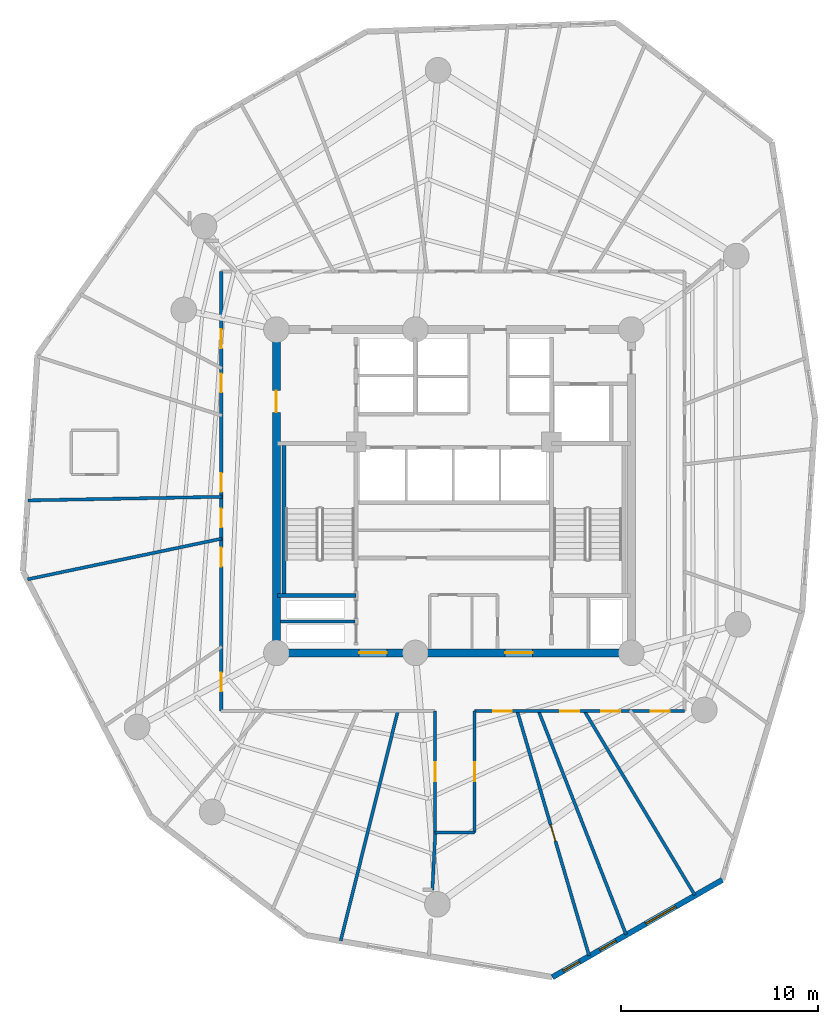
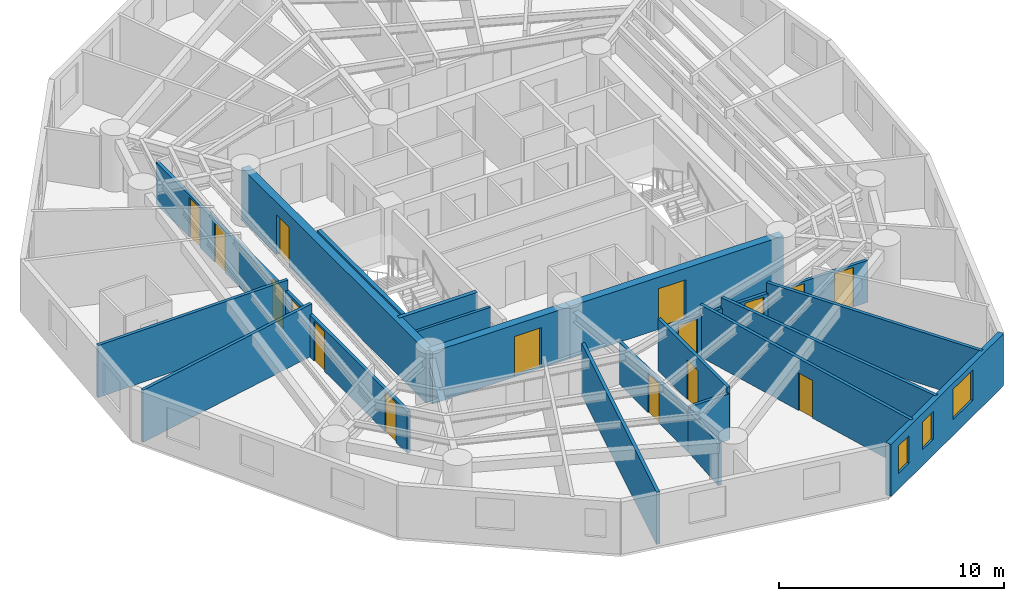
# One storey, part 3 of 8: 19 walls, 16 doors, 3 windows, 19 openings.
"""IFC4 building model written with IfcOpenShell, lengths in metres."""

from ifc_helpers import new_model, si_unit, direction, frame, frame_2d, origin, origin_with_axes, place, context, subcontext, project, spatial, rectangle, extrude, source, transform, mapped, material, layer, layer_set, type_object, element, fill, save


model = new_model("IFC4")

# Units and contexts
model_context = context("Model", 3, precision=1e-05, world=origin(), true_north=direction((0.0, 1.0)))
body_context = subcontext(model_context, "Body", "Model", "MODEL_VIEW")
ifc_project = project(units=[si_unit("LENGTHUNIT", "METRE"), si_unit("AREAUNIT", "SQUARE_METRE"), si_unit("VOLUMEUNIT", "CUBIC_METRE"), si_unit("PLANEANGLEUNIT", "RADIAN"), si_unit("MASSUNIT", "GRAM", prefix="KILO")], contexts=[model_context])

# Site, building, storey
site_placement = place(None, origin())
site = spatial("IfcSite", under=ifc_project, at=site_placement, CompositionType="ELEMENT")
building_placement = place(site_placement, origin())
building = spatial("IfcBuilding", under=site, at=building_placement, Name="Karkom Vertical University and Central Library", CompositionType="ELEMENT")
storey_placement = place(building_placement, frame((0.0, 0.0, 177.89990234375)))
storey = spatial("IfcBuildingStorey", under=building, at=storey_placement, Name="L51", CompositionType="ELEMENT", Elevation=177.89990234375)

# Wall, openings, windows
ifc_material_1 = material(Name="Brick-faced precast concrete C45/55", Category="masonry")
ifc_layer_1 = layer(ifc_material_1, 0.280029296875)
ifc_layer_set_1 = layer_set([ifc_layer_1], Name="Brick-faced precast concrete C45/55")
wall_type_1 = type_object("IfcWallType", Name="ENV-WL-BRK-280", PredefinedType="SOLIDWALL", material=ifc_layer_set_1)
wall_1_placement = place(storey_placement, frame((33.49609375, 1.85009765625, 0.0), z_axis=(0.0, 0.0, 1.0), x_axis=(0.867733186821, 0.497030297355, 0.0)))
wall_1 = element("IfcWall", 1, at=wall_1_placement, inside=storey, type_object=wall_type_1, Name="Level 51 Brick-Faced Precast Facade Wall 05", PredefinedType="SOLIDWALL", context=body_context, shape_type="SweptSolid", body=[
    extrude(rectangle(XDim=9.9375, YDim=0.280029296875, at=frame_2d((4.96875, 0.0))), origin(), (0.0, 0.0, 1.0), 2.8251953125),
])
opening_1_placement = place(wall_1_placement, frame((0.6396484375, 0.0, 0.85009765625)))
opening_1 = element("IfcOpeningElement", 2, at=opening_1_placement, cuts=wall_1, Name="Opening WN-12", PredefinedType="OPENING", context=body_context, shape_type="SweptSolid", body=[
    extrude(rectangle(XDim=0.949951171875, YDim=1.5, at=frame_2d((0.47509765625, 0.75))), frame((0.0, 0.14990234375, 0.0), z_axis=(0.0, -1.0, 0.0), x_axis=(1.0, 0.0, 0.0)), (0.0, 0.0, 1.0), 0.300048828125),
])
opening_2_placement = place(wall_1_placement, frame((2.773193359375, 0.0, 0.85009765625)))
opening_2 = element("IfcOpeningElement", 3, at=opening_2_placement, cuts=wall_1, Name="Opening WN-12", PredefinedType="OPENING", context=body_context, shape_type="SweptSolid", body=[
    extrude(rectangle(XDim=0.949951171875, YDim=1.5, at=frame_2d((0.47509765625, 0.75))), frame((0.0, 0.14990234375, 0.0), z_axis=(0.0, -1.0, 0.0), x_axis=(1.0, 0.0, 0.0)), (0.0, 0.0, 1.0), 0.300048828125),
])
opening_3_placement = place(wall_1_placement, frame((5.460205078125, 0.0, 0.85009765625)))
opening_3 = element("IfcOpeningElement", 4, at=opening_3_placement, cuts=wall_1, Name="Opening WN-08", PredefinedType="OPENING", context=body_context, shape_type="SweptSolid", body=[
    extrude(rectangle(XDim=1.75, YDim=1.64990234375, at=frame_2d((0.875, 0.824951171875))), frame((0.0, 0.14990234375, 0.0), z_axis=(0.0, -1.0, 0.0), x_axis=(1.0, 0.0, 0.0)), (0.0, 0.0, 1.0), 0.300048828125),
])
ifc_material_2 = material(Name="Aluminium thermal-break frame with solar-control IGU", Category="aluminium")
window_type_1 = type_object("IfcWindowType", Name="ENV-WIN-WN-12", PartitioningType="SINGLE_PANEL", PredefinedType="WINDOW", material=ifc_material_2)
shared_shape_1 = source(origin_with_axes(), body_context, "Body", "SweptSolid", [
    extrude(rectangle(XDim=0.949951171875, YDim=1.5, at=frame_2d((0.47509765625, 0.75))), frame((0.0, 0.030029296875, 0.0), z_axis=(0.0, -1.0, 0.0), x_axis=(1.0, 0.0, 0.0)), (0.0, 0.0, 1.0), 0.06005859375),
])
window_1_placement = place(opening_1_placement, origin())
window_1 = element("IfcWindow", 5, at=window_1_placement, inside=storey, type_object=window_type_1, Name="Level 51 Punched Window 5.1", OverallHeight=1.5, OverallWidth=0.949951171875, PartitioningType="SINGLE_PANEL", PredefinedType="WINDOW", context=body_context, shape_type="MappedRepresentation", body=[
    mapped(shared_shape_1, transform((0.0, 0.0, 0.0), scale=1.0)),
])
fill(opening_1, window_1)
window_2_placement = place(opening_2_placement, origin())
window_2 = element("IfcWindow", 6, at=window_2_placement, inside=storey, type_object=window_type_1, Name="Level 51 Punched Window 5.2", OverallHeight=1.5, OverallWidth=0.949951171875, PartitioningType="SINGLE_PANEL", PredefinedType="WINDOW", context=body_context, shape_type="MappedRepresentation", body=[
    mapped(shared_shape_1, transform((0.0, 0.0, 0.0), scale=1.0)),
])
fill(opening_2, window_2)
window_type_2 = type_object("IfcWindowType", Name="ENV-WIN-WN-08", PartitioningType="SINGLE_PANEL", PredefinedType="WINDOW", material=ifc_material_2)
shared_shape_2 = source(origin_with_axes(), body_context, "Body", "SweptSolid", [
    extrude(rectangle(XDim=1.75, YDim=1.64990234375, at=frame_2d((0.875, 0.824951171875))), frame((0.0, 0.030029296875, 0.0), z_axis=(0.0, -1.0, 0.0), x_axis=(1.0, 0.0, 0.0)), (0.0, 0.0, 1.0), 0.06005859375),
])
window_3_placement = place(opening_3_placement, origin())
window_3 = element("IfcWindow", 7, at=window_3_placement, inside=storey, type_object=window_type_2, Name="Level 51 Punched Window 5.3", OverallHeight=1.64990234375, OverallWidth=1.75, PartitioningType="SINGLE_PANEL", PredefinedType="WINDOW", context=body_context, shape_type="MappedRepresentation", body=[
    mapped(shared_shape_2, transform((0.0, 0.0, 0.0), scale=1.0)),
])
fill(opening_3, window_3)

# Wall, openings, doors
ifc_material_3 = material(Name="Insulated metal-stud drywall 160mm", Category="gypsum")
ifc_layer_2 = layer(ifc_material_3, 0.159912109375)
ifc_layer_set_2 = layer_set([ifc_layer_2], Name="Insulated metal-stud drywall 160mm")
wall_type_2 = type_object("IfcWallType", Name="INT-WL-COR-160", PredefinedType="PARTITIONING", material=ifc_layer_set_2)
wall_2_placement = place(storey_placement, frame((16.699951171875, 15.35009765625, 0.0), z_axis=(0.0, 0.0, 1.0), x_axis=(0.0, 1.0, 0.0)))
wall_2 = element("IfcWall", 8, at=wall_2_placement, inside=storey, type_object=wall_type_2, Name="Level 51 Interior Partition Wall L51-CORW-CW-002", PredefinedType="PARTITIONING", context=body_context, shape_type="SweptSolid", body=[
    extrude(rectangle(XDim=22.2998046875, YDim=0.159912109375, at=frame_2d((11.14990234375, 0.0))), origin(), (0.0, 0.0, 1.0), 2.275146484375),
])
opening_4_placement = place(wall_2_placement, frame((9.320556640625, 0.0, 0.0)))
opening_4 = element("IfcOpeningElement", 9, at=opening_4_placement, cuts=wall_2, Name="Opening D-RM1", PredefinedType="OPENING", context=body_context, shape_type="SweptSolid", body=[
    extrude(rectangle(XDim=0.949951171875, YDim=2.14990234375, at=frame_2d((0.47509765625, 1.074951171875))), frame((0.0, 0.08984375, 0.0), z_axis=(0.0, -1.0, 0.0), x_axis=(1.0, 0.0, 0.0)), (0.0, 0.0, 1.0), 0.179931640625),
])
opening_5_placement = place(wall_2_placement, frame((7.330078125, 0.0, 0.0)))
opening_5 = element("IfcOpeningElement", 10, at=opening_5_placement, cuts=wall_2, Name="Opening FD-RM2", PredefinedType="OPENING", context=body_context, shape_type="SweptSolid", body=[
    extrude(rectangle(XDim=0.9599609375, YDim=2.14990234375, at=frame_2d((0.47998046875, 1.074951171875))), frame((0.0, 0.08984375, 0.0), z_axis=(0.0, -1.0, 0.0), x_axis=(1.0, 0.0, 0.0)), (0.0, 0.0, 1.0), 0.179931640625),
])
opening_6_placement = place(wall_2_placement, frame((1.00634765625, 0.0, 0.0)))
opening_6 = element("IfcOpeningElement", 11, at=opening_6_placement, cuts=wall_2, Name="Opening D-RM1", PredefinedType="OPENING", context=body_context, shape_type="SweptSolid", body=[
    extrude(rectangle(XDim=0.949951171875, YDim=2.14990234375, at=frame_2d((0.47509765625, 1.074951171875))), frame((0.0, 0.08984375, 0.0), z_axis=(0.0, -1.0, 0.0), x_axis=(1.0, 0.0, 0.0)), (0.0, 0.0, 1.0), 0.179931640625),
])
opening_7_placement = place(wall_2_placement, frame((18.395751953125, 0.0, 0.0)))
opening_7 = element("IfcOpeningElement", 12, at=opening_7_placement, cuts=wall_2, Name="Opening FD-RM2", PredefinedType="OPENING", context=body_context, shape_type="SweptSolid", body=[
    extrude(rectangle(XDim=0.9599609375, YDim=2.14990234375, at=frame_2d((0.47998046875, 1.074951171875))), frame((0.0, 0.08984375, 0.0), z_axis=(0.0, -1.0, 0.0), x_axis=(1.0, 0.0, 0.0)), (0.0, 0.0, 1.0), 0.179931640625),
])
opening_8_placement = place(wall_2_placement, frame((16.159912109375, 0.0, 0.0)))
opening_8 = element("IfcOpeningElement", 13, at=opening_8_placement, cuts=wall_2, Name="Opening FD-RM2", PredefinedType="OPENING", context=body_context, shape_type="SweptSolid", body=[
    extrude(rectangle(XDim=0.9599609375, YDim=2.14990234375, at=frame_2d((0.47998046875, 1.074951171875))), frame((0.0, 0.08984375, 0.0), z_axis=(0.0, -1.0, 0.0), x_axis=(1.0, 0.0, 0.0)), (0.0, 0.0, 1.0), 0.179931640625),
])
opening_9_placement = place(wall_2_placement, frame((11.114990234375, 0.0, 0.0)))
opening_9 = element("IfcOpeningElement", 14, at=opening_9_placement, cuts=wall_2, Name="Opening D-RM1", PredefinedType="OPENING", context=body_context, shape_type="SweptSolid", body=[
    extrude(rectangle(XDim=0.949951171875, YDim=2.14990234375, at=frame_2d((0.47509765625, 1.074951171875))), frame((0.0, 0.08984375, 0.0), z_axis=(0.0, -1.0, 0.0), x_axis=(1.0, 0.0, 0.0)), (0.0, 0.0, 1.0), 0.179931640625),
])
ifc_material_4 = material(Name="Fire-rated oak veneer door", Category="wood")
door_type_1 = type_object("IfcDoorType", Name="INT-DR-FRM2", OperationType="NOTDEFINED", PredefinedType="DOOR", material=ifc_material_4)
shared_shape_3 = source(origin_with_axes(), body_context, "Body", "SweptSolid", [
    extrude(rectangle(XDim=0.9599609375, YDim=2.14990234375, at=frame_2d((0.47998046875, 1.074951171875))), frame((0.0, 0.02490234375, 0.0), z_axis=(0.0, -1.0, 0.0), x_axis=(1.0, 0.0, 0.0)), (0.0, 0.0, 1.0), 0.050048828125),
])
door_1_placement = place(opening_5_placement, origin())
door_1 = element("IfcDoor", 15, at=door_1_placement, inside=storey, type_object=door_type_1, Name="Level 51 Room Entry Door 010", OperationType="SINGLE_SWING_LEFT", OverallHeight=2.14990234375, OverallWidth=0.9599609375, PredefinedType="DOOR", context=body_context, shape_type="MappedRepresentation", body=[
    mapped(shared_shape_3, transform((0.0, 0.0, 0.0), scale=1.0)),
])
fill(opening_5, door_1)
door_2_placement = place(opening_7_placement, origin())
door_2 = element("IfcDoor", 16, at=door_2_placement, inside=storey, type_object=door_type_1, Name="Level 51 Room Entry Door 230", OperationType="SINGLE_SWING_LEFT", OverallHeight=2.14990234375, OverallWidth=0.9599609375, PredefinedType="DOOR", context=body_context, shape_type="MappedRepresentation", body=[
    mapped(shared_shape_3, transform((0.0, 0.0, 0.0), scale=1.0)),
])
fill(opening_7, door_2)
door_3_placement = place(opening_8_placement, origin())
door_3 = element("IfcDoor", 17, at=door_3_placement, inside=storey, type_object=door_type_1, Name="Level 51 Room Entry Door 240", OperationType="SINGLE_SWING_RIGHT", OverallHeight=2.14990234375, OverallWidth=0.9599609375, PredefinedType="DOOR", context=body_context, shape_type="MappedRepresentation", body=[
    mapped(shared_shape_3, transform((0.0, 0.0, 0.0), scale=1.0)),
])
fill(opening_8, door_3)
ifc_material_5 = material(Name="Solid-core oak veneer door", Category="wood")
door_type_2 = type_object("IfcDoorType", Name="INT-DR-RM1", OperationType="NOTDEFINED", PredefinedType="DOOR", material=ifc_material_5)
shared_shape_4 = source(origin_with_axes(), body_context, "Body", "SweptSolid", [
    extrude(rectangle(XDim=0.949951171875, YDim=2.14990234375, at=frame_2d((0.47509765625, 1.074951171875))), frame((0.0, 0.02490234375, 0.0), z_axis=(0.0, -1.0, 0.0), x_axis=(1.0, 0.0, 0.0)), (0.0, 0.0, 1.0), 0.050048828125),
])
door_4_placement = place(opening_4_placement, origin())
door_4 = element("IfcDoor", 18, at=door_4_placement, inside=storey, type_object=door_type_2, Name="Level 51 Room Entry Door 000", OperationType="SINGLE_SWING_RIGHT", OverallHeight=2.14990234375, OverallWidth=0.949951171875, PredefinedType="DOOR", context=body_context, shape_type="MappedRepresentation", body=[
    mapped(shared_shape_4, transform((0.0, 0.0, 0.0), scale=1.0)),
])
fill(opening_4, door_4)
door_5_placement = place(opening_6_placement, origin())
door_5 = element("IfcDoor", 19, at=door_5_placement, inside=storey, type_object=door_type_2, Name="Level 51 Room Entry Door 020", OperationType="SINGLE_SWING_RIGHT", OverallHeight=2.14990234375, OverallWidth=0.949951171875, PredefinedType="DOOR", context=body_context, shape_type="MappedRepresentation", body=[
    mapped(shared_shape_4, transform((0.0, 0.0, 0.0), scale=1.0)),
])
fill(opening_6, door_5)
door_6_placement = place(opening_9_placement, origin())
door_6 = element("IfcDoor", 20, at=door_6_placement, inside=storey, type_object=door_type_2, Name="Level 51 Room Entry Door 250", OperationType="SINGLE_SWING_LEFT", OverallHeight=2.14990234375, OverallWidth=0.949951171875, PredefinedType="DOOR", context=body_context, shape_type="MappedRepresentation", body=[
    mapped(shared_shape_4, transform((0.0, 0.0, 0.0), scale=1.0)),
])
fill(opening_9, door_6)

# Wall, opening, door
wall_3_placement = place(storey_placement, frame((31.705322265625, 15.37890625, 0.0), z_axis=(0.0, 0.0, 1.0), x_axis=(0.281937807711, -0.959432682674, 0.0)))
wall_3 = element("IfcWall", 21, at=wall_3_placement, inside=storey, type_object=wall_type_2, Name="Level 51 Interior Partition Wall L51-PW-012", PredefinedType="PARTITIONING", context=body_context, shape_type="SweptSolid", body=[
    extrude(rectangle(XDim=12.95703125, YDim=0.159912109375, at=frame_2d((6.478515625, 0.0))), origin(), (0.0, 0.0, 1.0), 2.8251953125),
])
opening_10_placement = place(wall_3_placement, frame((6.048583984375, 0.0, 0.0)))
opening_10 = element("IfcOpeningElement", 22, at=opening_10_placement, cuts=wall_3, Name="Opening FD-BTH2", PredefinedType="OPENING", context=body_context, shape_type="SweptSolid", body=[
    extrude(rectangle(XDim=0.860107421875, YDim=2.0400390625, at=frame_2d((0.43017578125, 1.02001953125))), frame((0.0, 0.08984375, 0.0), z_axis=(0.0, -1.0, 0.0), x_axis=(1.0, 0.0, 0.0)), (0.0, 0.0, 1.0), 0.179931640625),
])
ifc_material_6 = material(Name="Fire-rated moisture-resistant oak door", Category="wood")
door_type_3 = type_object("IfcDoorType", Name="INT-DR-FBTH2", OperationType="NOTDEFINED", PredefinedType="DOOR", material=ifc_material_6)
shared_shape_5 = source(origin_with_axes(), body_context, "Body", "SweptSolid", [
    extrude(rectangle(XDim=0.860107421875, YDim=2.0400390625, at=frame_2d((0.43017578125, 1.02001953125))), frame((0.0, 0.02490234375, 0.0), z_axis=(0.0, -1.0, 0.0), x_axis=(1.0, 0.0, 0.0)), (0.0, 0.0, 1.0), 0.050048828125),
])
door_7_placement = place(opening_10_placement, origin())
door_7 = element("IfcDoor", 23, at=door_7_placement, inside=storey, type_object=door_type_3, Name="Level 51 Academic Servery Tea Pantry Entry Door", OperationType="SINGLE_SWING_RIGHT", OverallHeight=2.0400390625, OverallWidth=0.860107421875, PredefinedType="DOOR", context=body_context, shape_type="MappedRepresentation", body=[
    mapped(shared_shape_5, transform((0.0, 0.0, 0.0), scale=1.0)),
])
fill(opening_10, door_7)

# Walls
wall_4_placement = place(storey_placement, frame((32.788330078125, 15.3779296875, 0.0), z_axis=(0.0, 0.0, 1.0), x_axis=(0.364460483521, -0.931218855024, 0.0)))
element("IfcWall", 24, at=wall_4_placement, inside=storey, type_object=wall_type_2, Name="Level 51 Interior Partition Wall L51-PW-013", PredefinedType="PARTITIONING", context=body_context, shape_type="SweptSolid", body=[
    extrude(rectangle(XDim=12.1962890625, YDim=0.159912109375, at=frame_2d((6.09814453125, 0.0))), origin(), (0.0, 0.0, 1.0), 2.8251953125),
])
wall_5_placement = place(storey_placement, frame((25.668701171875, 15.379150390625, 0.0), z_axis=(0.0, 0.0, 1.0), x_axis=(-0.241623546226, -0.970370064413, 0.0)))
element("IfcWall", 25, at=wall_5_placement, inside=storey, type_object=wall_type_2, Name="Level 51 Interior Partition Wall L51-PW-008", PredefinedType="PARTITIONING", context=body_context, shape_type="SweptSolid", body=[
    extrude(rectangle(XDim=12.031005859375, YDim=0.159912109375, at=frame_2d((6.015625, 0.0))), origin(), (0.0, 0.0, 1.0), 2.8251953125),
])
wall_6_placement = place(storey_placement, frame((35.107666015625, 15.375732421875, 0.0), z_axis=(0.0, 0.0, 1.0), x_axis=(0.514660243526, -0.857394211395, 0.0)))
element("IfcWall", 26, at=wall_6_placement, inside=storey, type_object=wall_type_2, Name="Level 51 Interior Partition Wall L51-PW-014", PredefinedType="PARTITIONING", context=body_context, shape_type="SweptSolid", body=[
    extrude(rectangle(XDim=10.912841796875, YDim=0.159912109375, at=frame_2d((5.45654296875, 0.0))), origin(), (0.0, 0.0, 1.0), 2.8251953125),
])

# Wall, openings, doors
wall_7_placement = place(storey_placement, frame((40.199951171875, 15.35009765625, 0.0), z_axis=(0.0, 0.0, 1.0), x_axis=(-1.0, 0.0, 0.0)))
wall_7 = element("IfcWall", 27, at=wall_7_placement, inside=storey, type_object=wall_type_2, Name="Level 51 Interior Partition Wall L51-CORW-CW-005", PredefinedType="PARTITIONING", context=body_context, shape_type="SweptSolid", body=[
    extrude(rectangle(XDim=10.64990234375, YDim=0.159912109375, at=frame_2d((5.324951171875, 0.0))), origin(), (0.0, 0.0, 1.0), 2.275146484375),
])
opening_11_placement = place(wall_7_placement, frame((8.75244140625, 0.0, 0.0)))
opening_11 = element("IfcOpeningElement", 28, at=opening_11_placement, cuts=wall_7, Name="Opening FD-RM2", PredefinedType="OPENING", context=body_context, shape_type="SweptSolid", body=[
    extrude(rectangle(XDim=0.9599609375, YDim=2.14990234375, at=frame_2d((0.47998046875, 1.074951171875))), frame((0.0, 0.08984375, 0.0), z_axis=(0.0, -1.0, 0.0), x_axis=(1.0, 0.0, 0.0)), (0.0, 0.0, 1.0), 0.179931640625),
])
opening_12_placement = place(wall_7_placement, frame((5.340087890625, 0.0, 0.0)))
opening_12 = element("IfcOpeningElement", 29, at=opening_12_placement, cuts=wall_7, Name="Opening FD-RM2", PredefinedType="OPENING", context=body_context, shape_type="SweptSolid", body=[
    extrude(rectangle(XDim=0.9599609375, YDim=2.14990234375, at=frame_2d((0.47998046875, 1.074951171875))), frame((0.0, 0.08984375, 0.0), z_axis=(0.0, -1.0, 0.0), x_axis=(1.0, 0.0, 0.0)), (0.0, 0.0, 1.0), 0.179931640625),
])
opening_13_placement = place(wall_7_placement, frame((3.25244140625, 0.0, 0.0)))
opening_13 = element("IfcOpeningElement", 30, at=opening_13_placement, cuts=wall_7, Name="Opening FD-RM2", PredefinedType="OPENING", context=body_context, shape_type="SweptSolid", body=[
    extrude(rectangle(XDim=0.9599609375, YDim=2.14990234375, at=frame_2d((0.47998046875, 1.074951171875))), frame((0.0, 0.08984375, 0.0), z_axis=(0.0, -1.0, 0.0), x_axis=(1.0, 0.0, 0.0)), (0.0, 0.0, 1.0), 0.179931640625),
])
opening_14_placement = place(wall_7_placement, frame((0.748046875, 0.0, 0.0)))
opening_14 = element("IfcOpeningElement", 31, at=opening_14_placement, cuts=wall_7, Name="Opening FD-RM2", PredefinedType="OPENING", context=body_context, shape_type="SweptSolid", body=[
    extrude(rectangle(XDim=0.9599609375, YDim=2.14990234375, at=frame_2d((0.47998046875, 1.074951171875))), frame((0.0, 0.08984375, 0.0), z_axis=(0.0, -1.0, 0.0), x_axis=(1.0, 0.0, 0.0)), (0.0, 0.0, 1.0), 0.179931640625),
])
door_8_placement = place(opening_11_placement, origin())
door_8 = element("IfcDoor", 32, at=door_8_placement, inside=storey, type_object=door_type_1, Name="Level 51 Room Entry Door 070", OperationType="SINGLE_SWING_LEFT", OverallHeight=2.14990234375, OverallWidth=0.9599609375, PredefinedType="DOOR", context=body_context, shape_type="MappedRepresentation", body=[
    mapped(shared_shape_3, transform((0.0, 0.0, 0.0), scale=1.0)),
])
fill(opening_11, door_8)
door_9_placement = place(opening_12_placement, origin())
door_9 = element("IfcDoor", 33, at=door_9_placement, inside=storey, type_object=door_type_1, Name="Level 51 Room Entry Door 080", OperationType="SINGLE_SWING_RIGHT", OverallHeight=2.14990234375, OverallWidth=0.9599609375, PredefinedType="DOOR", context=body_context, shape_type="MappedRepresentation", body=[
    mapped(shared_shape_3, transform((0.0, 0.0, 0.0), scale=1.0)),
])
fill(opening_12, door_9)
door_10_placement = place(opening_13_placement, origin())
door_10 = element("IfcDoor", 34, at=door_10_placement, inside=storey, type_object=door_type_1, Name="Level 51 Room Entry Door 090", OperationType="SINGLE_SWING_LEFT", OverallHeight=2.14990234375, OverallWidth=0.9599609375, PredefinedType="DOOR", context=body_context, shape_type="MappedRepresentation", body=[
    mapped(shared_shape_3, transform((0.0, 0.0, 0.0), scale=1.0)),
])
fill(opening_13, door_10)
door_11_placement = place(opening_14_placement, origin())
door_11 = element("IfcDoor", 35, at=door_11_placement, inside=storey, type_object=door_type_1, Name="Level 51 Room Entry Door 100", OperationType="SINGLE_SWING_RIGHT", OverallHeight=2.14990234375, OverallWidth=0.9599609375, PredefinedType="DOOR", context=body_context, shape_type="MappedRepresentation", body=[
    mapped(shared_shape_3, transform((0.0, 0.0, 0.0), scale=1.0)),
])
fill(opening_14, door_11)

# Walls
wall_8_placement = place(storey_placement, frame((16.7294921875, 24.096435546875, 0.0), z_axis=(0.0, 0.0, 1.0), x_axis=(-0.978766288952, -0.204979393137, 0.0)))
element("IfcWall", 36, at=wall_8_placement, inside=storey, type_object=wall_type_2, Name="Level 51 Interior Partition Wall L51-PW-001", PredefinedType="PARTITIONING", context=body_context, shape_type="SweptSolid", body=[
    extrude(rectangle(XDim=10.060791015625, YDim=0.159912109375, at=frame_2d((5.0302734375, 0.0))), origin(), (0.0, 0.0, 1.0), 2.8251953125),
])
wall_9_placement = place(storey_placement, frame((6.9013671875, 26.03564453125, 0.0), z_axis=(0.0, 0.0, 1.0), x_axis=(0.999824729563, 0.018721916439, 0.0)))
element("IfcWall", 37, at=wall_9_placement, inside=storey, type_object=wall_type_2, Name="Level 51 Interior Partition Wall L51-PW-003", PredefinedType="PARTITIONING", context=body_context, shape_type="SweptSolid", body=[
    extrude(rectangle(XDim=9.845458984375, YDim=0.159912109375, at=frame_2d((4.9228515625, 0.0))), origin(), (0.0, 0.0, 1.0), 2.8251953125),
])

# Wall, opening, door
wall_10_placement = place(storey_placement, frame((29.550048828125, 15.35009765625, 0.0), z_axis=(0.0, 0.0, 1.0), x_axis=(0.0, -1.0, 0.0)))
wall_10 = element("IfcWall", 38, at=wall_10_placement, inside=storey, type_object=wall_type_2, Name="Level 51 Interior Partition Wall L51-CORW-CW-006", PredefinedType="PARTITIONING", context=body_context, shape_type="SweptSolid", body=[
    extrude(rectangle(XDim=6.150146484375, YDim=0.159912109375, at=frame_2d((3.0751953125, 0.0))), origin(), (0.0, 0.0, 1.0), 2.8251953125),
])
opening_15_placement = place(wall_10_placement, frame((2.60009765625, 0.0, 0.0)))
opening_15 = element("IfcOpeningElement", 39, at=opening_15_placement, cuts=wall_10, Name="Opening FD-RM2", PredefinedType="OPENING", context=body_context, shape_type="SweptSolid", body=[
    extrude(rectangle(XDim=0.9599609375, YDim=2.14990234375, at=frame_2d((0.47998046875, 1.074951171875))), frame((0.0, 0.08984375, 0.0), z_axis=(0.0, -1.0, 0.0), x_axis=(1.0, 0.0, 0.0)), (0.0, 0.0, 1.0), 0.179931640625),
])
door_12_placement = place(opening_15_placement, origin())
door_12 = element("IfcDoor", 40, at=door_12_placement, inside=storey, type_object=door_type_1, Name="Level 51 Room Entry Door 060", OperationType="SINGLE_SWING_RIGHT", OverallHeight=2.14990234375, OverallWidth=0.9599609375, PredefinedType="DOOR", context=body_context, shape_type="MappedRepresentation", body=[
    mapped(shared_shape_3, transform((0.0, 0.0, 0.0), scale=1.0)),
])
fill(opening_15, door_12)

wall_11_placement = place(storey_placement, frame((27.550048828125, 9.199951171875, 0.0), z_axis=(0.0, 0.0, 1.0), x_axis=(0.0, 1.0, 0.0)))
wall_11 = element("IfcWall", 41, at=wall_11_placement, inside=storey, type_object=wall_type_2, Name="Level 51 Interior Partition Wall L51-CORW-CW-008", PredefinedType="PARTITIONING", context=body_context, shape_type="SweptSolid", body=[
    extrude(rectangle(XDim=6.150146484375, YDim=0.159912109375, at=frame_2d((3.0751953125, 0.0))), origin(), (0.0, 0.0, 1.0), 2.275146484375),
])
opening_16_placement = place(wall_11_placement, frame((2.60009765625, 0.0, 0.0)))
opening_16 = element("IfcOpeningElement", 42, at=opening_16_placement, cuts=wall_11, Name="Opening FD-RM2", PredefinedType="OPENING", context=body_context, shape_type="SweptSolid", body=[
    extrude(rectangle(XDim=0.9599609375, YDim=2.14990234375, at=frame_2d((0.47998046875, 1.074951171875))), frame((0.0, 0.08984375, 0.0), z_axis=(0.0, -1.0, 0.0), x_axis=(1.0, 0.0, 0.0)), (0.0, 0.0, 1.0), 0.179931640625),
])
door_13_placement = place(opening_16_placement, origin())
door_13 = element("IfcDoor", 43, at=door_13_placement, inside=storey, type_object=door_type_1, Name="Level 51 Room Entry Door 050", OperationType="SINGLE_SWING_LEFT", OverallHeight=2.14990234375, OverallWidth=0.9599609375, PredefinedType="DOOR", context=body_context, shape_type="MappedRepresentation", body=[
    mapped(shared_shape_3, transform((0.0, 0.0, 0.0), scale=1.0)),
])
fill(opening_16, door_13)

# Walls
wall_12_placement = place(storey_placement, frame((27.56103515625, 9.22998046875, 0.0), z_axis=(0.0, 0.0, 1.0), x_axis=(-0.050822498854, -0.998707701788, 0.0)))
element("IfcWall", 44, at=wall_12_placement, inside=storey, type_object=wall_type_2, Name="Level 51 Interior Partition Wall L51-PW-009", PredefinedType="PARTITIONING", context=body_context, shape_type="SweptSolid", body=[
    extrude(rectangle(XDim=2.94482421875, YDim=0.159912109375, at=frame_2d((1.472412109375, 0.0))), origin(), (0.0, 0.0, 1.0), 2.275146484375),
])
wall_13_placement = place(storey_placement, frame((29.550048828125, 9.199951171875, 0.0), z_axis=(0.0, 0.0, 1.0), x_axis=(-1.0, 0.0, 0.0)))
element("IfcWall", 45, at=wall_13_placement, inside=storey, type_object=wall_type_2, Name="Level 51 Interior Partition Wall L51-CORW-CW-007", PredefinedType="PARTITIONING", context=body_context, shape_type="SweptSolid", body=[
    extrude(rectangle(XDim=2.0, YDim=0.159912109375, at=frame_2d((1.0, 0.0))), origin(), (0.0, 0.0, 1.0), 2.4951171875),
])
ifc_material_7 = material(Name="Metal-stud gypsum partition 140mm", Category="gypsum")
ifc_layer_3 = layer(ifc_material_7, 0.139892578125)
ifc_layer_set_3 = layer_set([ifc_layer_3], Name="Metal-stud gypsum partition 140mm")
wall_type_3 = type_object("IfcWallType", Name="INT-WL-SUB-140H", PredefinedType="PARTITIONING", material=ifc_layer_set_3)
wall_14_placement = place(storey_placement, frame((19.70703125, 19.889892578125, 0.0), z_axis=(0.0, 0.0, 1.0), x_axis=(1.0, 0.0, 0.0)))
element("IfcWall", 46, at=wall_14_placement, inside=storey, type_object=wall_type_3, Name="Level 51 Interior Partition Wall L51-CW-RIS-W", PredefinedType="PARTITIONING", context=body_context, shape_type="SweptSolid", body=[
    extrude(rectangle(XDim=3.789794921875, YDim=0.139892578125, at=frame_2d((1.89501953125, 0.0))), origin(), (0.0, 0.0, 1.0), 2.8251953125),
])

# Wall, opening, door
ifc_material_8 = material(Name="Concrete C50/60", Category="concrete")
ifc_layer_4 = layer(ifc_material_8, 0.39990234375)
ifc_layer_set_4 = layer_set([ifc_layer_4], Name="Concrete C50/60")
wall_type_4 = type_object("IfcWallType", Name="STR-WL-CW-400", PredefinedType="SHEAR", material=ifc_layer_set_4)
wall_15_placement = place(storey_placement, frame((19.5, 18.300048828125, 0.0), z_axis=(0.0, 0.0, 1.0), x_axis=(1.0, 0.0, 0.0)))
wall_15 = element("IfcWall", 47, at=wall_15_placement, inside=storey, type_object=wall_type_4, Name="Level 51 Central Core Shear Wall SW1", PredefinedType="SHEAR", context=body_context, shape_type="SweptSolid", body=[
    extrude(rectangle(XDim=7.050048828125, YDim=0.39990234375, at=frame_2d((3.52490234375, 0.0))), origin(), (0.0, 0.0, 1.0), 2.8251953125),
])
opening_17_placement = place(wall_15_placement, frame((4.199951171875, 0.0, 0.0)))
opening_17 = element("IfcOpeningElement", 48, at=opening_17_placement, cuts=wall_15, Name="Opening FD-CLB", PredefinedType="OPENING", context=body_context, shape_type="SweptSolid", body=[
    extrude(rectangle(XDim=1.39990234375, YDim=2.199951171875, at=frame_2d((0.699951171875, 1.10009765625))), frame((0.0, 0.2099609375, 0.0), z_axis=(0.0, -1.0, 0.0), x_axis=(1.0, 0.0, 0.0)), (0.0, 0.0, 1.0), 0.419921875),
])
ifc_material_9 = material(Name="Painted steel fire door", Category="steel")
door_type_4 = type_object("IfcDoorType", Name="INT-DR-CLB", OperationType="DOUBLE_DOOR_SINGLE_SWING", PredefinedType="DOOR", material=ifc_material_9)
shared_shape_6 = source(origin_with_axes(), body_context, "Body", "SweptSolid", [
    extrude(rectangle(XDim=1.39990234375, YDim=2.199951171875, at=frame_2d((0.699951171875, 1.10009765625))), frame((0.0, 0.02490234375, 0.0), z_axis=(0.0, -1.0, 0.0), x_axis=(1.0, 0.0, 0.0)), (0.0, 0.0, 1.0), 0.050048828125),
])
door_14_placement = place(opening_17_placement, origin())
door_14 = element("IfcDoor", 49, at=door_14_placement, inside=storey, type_object=door_type_4, Name="Level 51 South Core Lobby West Exit Door", OperationType="DOUBLE_DOOR_SINGLE_SWING", OverallHeight=2.199951171875, OverallWidth=1.39990234375, PredefinedType="DOOR", context=body_context, shape_type="MappedRepresentation", body=[
    mapped(shared_shape_6, transform((0.0, 0.0, 0.0), scale=1.0)),
])
fill(opening_17, door_14)

wall_16_placement = place(storey_placement, frame((26.550048828125, 18.300048828125, 0.0), z_axis=(0.0, 0.0, 1.0), x_axis=(1.0, 0.0, 0.0)))
wall_16 = element("IfcWall", 50, at=wall_16_placement, inside=storey, type_object=wall_type_4, Name="Level 51 Central Core Shear Wall SW2", PredefinedType="SHEAR", context=body_context, shape_type="SweptSolid", body=[
    extrude(rectangle(XDim=10.949951171875, YDim=0.39990234375, at=frame_2d((5.47509765625, 0.0))), origin(), (0.0, 0.0, 1.0), 2.8251953125),
])
opening_18_placement = place(wall_16_placement, frame((4.550048828125, 0.0, 0.0)))
opening_18 = element("IfcOpeningElement", 51, at=opening_18_placement, cuts=wall_16, Name="Opening FD-CLB", PredefinedType="OPENING", context=body_context, shape_type="SweptSolid", body=[
    extrude(rectangle(XDim=1.39990234375, YDim=2.199951171875, at=frame_2d((0.699951171875, 1.10009765625))), frame((0.0, 0.2099609375, 0.0), z_axis=(0.0, -1.0, 0.0), x_axis=(1.0, 0.0, 0.0)), (0.0, 0.0, 1.0), 0.419921875),
])
door_15_placement = place(opening_18_placement, origin())
door_15 = element("IfcDoor", 52, at=door_15_placement, inside=storey, type_object=door_type_4, Name="Level 51 South Core Lobby East Exit Door", OperationType="DOUBLE_DOOR_SINGLE_SWING", OverallHeight=2.199951171875, OverallWidth=1.39990234375, PredefinedType="DOOR", context=body_context, shape_type="MappedRepresentation", body=[
    mapped(shared_shape_6, transform((0.0, 0.0, 0.0), scale=1.0)),
])
fill(opening_18, door_15)

wall_17_placement = place(storey_placement, frame((19.5, 34.699951171875, 0.0), z_axis=(0.0, 0.0, 1.0), x_axis=(0.0, -1.0, 0.0)))
wall_17 = element("IfcWall", 53, at=wall_17_placement, inside=storey, type_object=wall_type_4, Name="Level 51 Central Core Shear Wall WW", PredefinedType="SHEAR", context=body_context, shape_type="SweptSolid", body=[
    extrude(rectangle(XDim=16.39990234375, YDim=0.39990234375, at=frame_2d((8.199951171875, 0.0))), origin(), (0.0, 0.0, 1.0), 2.8251953125),
])
opening_19_placement = place(wall_17_placement, frame((3.10009765625, 0.0, 0.0)))
opening_19 = element("IfcOpeningElement", 54, at=opening_19_placement, cuts=wall_17, Name="Opening FD-FFL", PredefinedType="OPENING", context=body_context, shape_type="SweptSolid", body=[
    extrude(rectangle(XDim=1.10009765625, YDim=2.14990234375, at=frame_2d((0.550048828125, 1.074951171875))), frame((0.0, 0.2099609375, 0.0), z_axis=(0.0, -1.0, 0.0), x_axis=(1.0, 0.0, 0.0)), (0.0, 0.0, 1.0), 0.419921875),
])
ifc_material_10 = material(Name="Painted steel smoke-seal fire door", Category="steel")
door_type_5 = type_object("IfcDoorType", Name="INT-DR-FFL", OperationType="NOTDEFINED", PredefinedType="DOOR", material=ifc_material_10)
shared_shape_7 = source(origin_with_axes(), body_context, "Body", "SweptSolid", [
    extrude(rectangle(XDim=1.10009765625, YDim=2.14990234375, at=frame_2d((0.550048828125, 1.074951171875))), frame((0.0, 0.02490234375, 0.0), z_axis=(0.0, -1.0, 0.0), x_axis=(1.0, 0.0, 0.0)), (0.0, 0.0, 1.0), 0.050048828125),
])
door_16_placement = place(opening_19_placement, origin())
door_16 = element("IfcDoor", 55, at=door_16_placement, inside=storey, type_object=door_type_5, Name="Level 51 West Corridor Firefighting Lobby Door", OperationType="SINGLE_SWING_RIGHT", OverallHeight=2.14990234375, OverallWidth=1.10009765625, PredefinedType="DOOR", context=body_context, shape_type="MappedRepresentation", body=[
    mapped(shared_shape_7, transform((0.0, 0.0, 0.0), scale=1.0)),
])
fill(opening_19, door_16)

# Walls
ifc_material_11 = material(Name="Concrete C45/55", Category="concrete")
ifc_layer_5 = layer(ifc_material_11, 0.199951171875)
ifc_layer_set_5 = layer_set([ifc_layer_5], Name="Concrete C45/55")
wall_type_5 = type_object("IfcWallType", Name="STR-WL-ST-200", PredefinedType="SHEAR", material=ifc_layer_set_5)
wall_18_placement = place(storey_placement, frame((19.875, 21.320068359375, 0.0), z_axis=(0.0, 0.0, 1.0), x_axis=(0.0, 1.0, 0.0)))
element("IfcWall", 56, at=wall_18_placement, inside=storey, type_object=wall_type_5, Name="Level 51 Core Shaft Wall L51-CW-ST1-W", PredefinedType="SHEAR", context=body_context, shape_type="SweptSolid", body=[
    extrude(rectangle(XDim=7.5, YDim=0.199951171875, at=frame_2d((3.75, 0.0))), origin(), (0.0, 0.0, 1.0), 2.8251953125),
])
wall_19_placement = place(storey_placement, frame((19.550048828125, 21.215087890625, 0.0), z_axis=(0.0, 0.0, 1.0), x_axis=(1.0, 0.0, 0.0)))
element("IfcWall", 57, at=wall_19_placement, inside=storey, type_object=wall_type_5, Name="Level 51 Core Shaft Wall L51-CW-ST1-S", PredefinedType="SHEAR", context=body_context, shape_type="SweptSolid", body=[
    extrude(rectangle(XDim=3.994873046875, YDim=0.199951171875, at=frame_2d((1.99755859375, 0.0))), origin(), (0.0, 0.0, 1.0), 2.8251953125),
])

save(model, "model.ifc")
